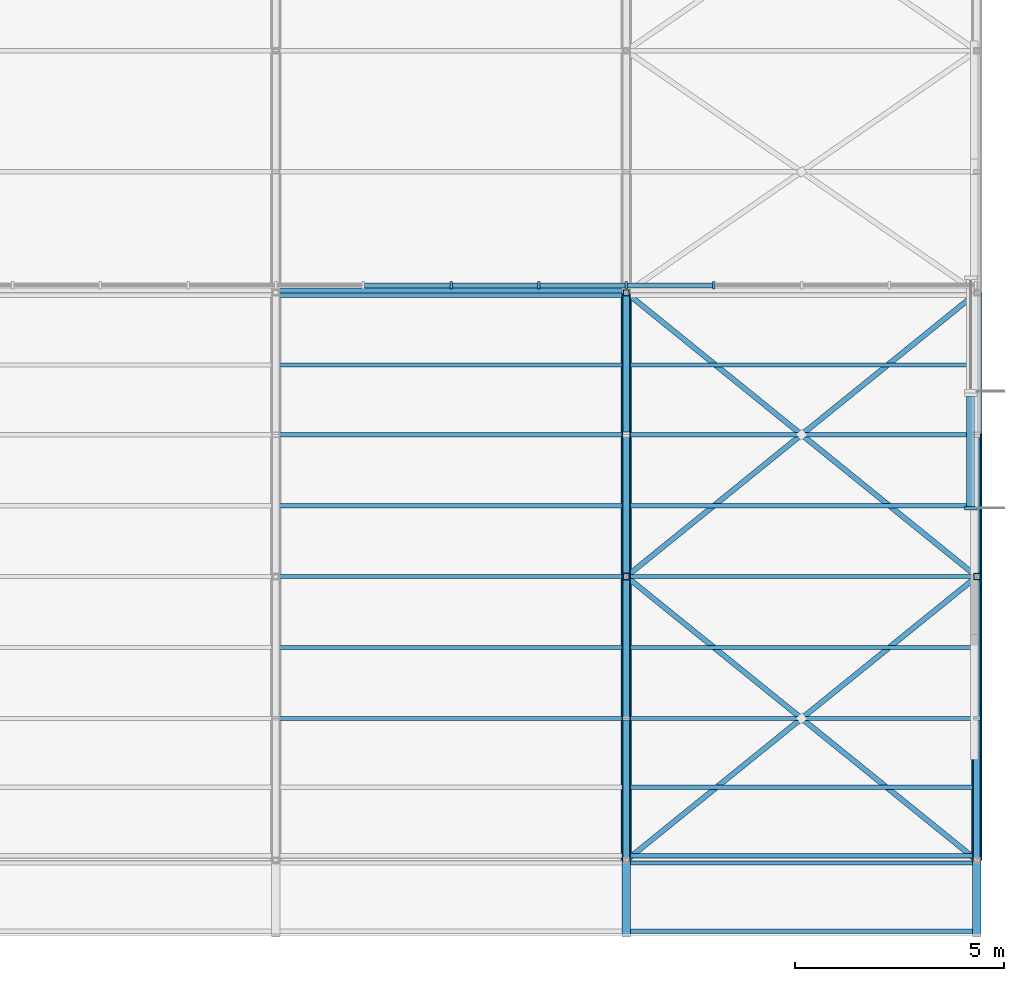
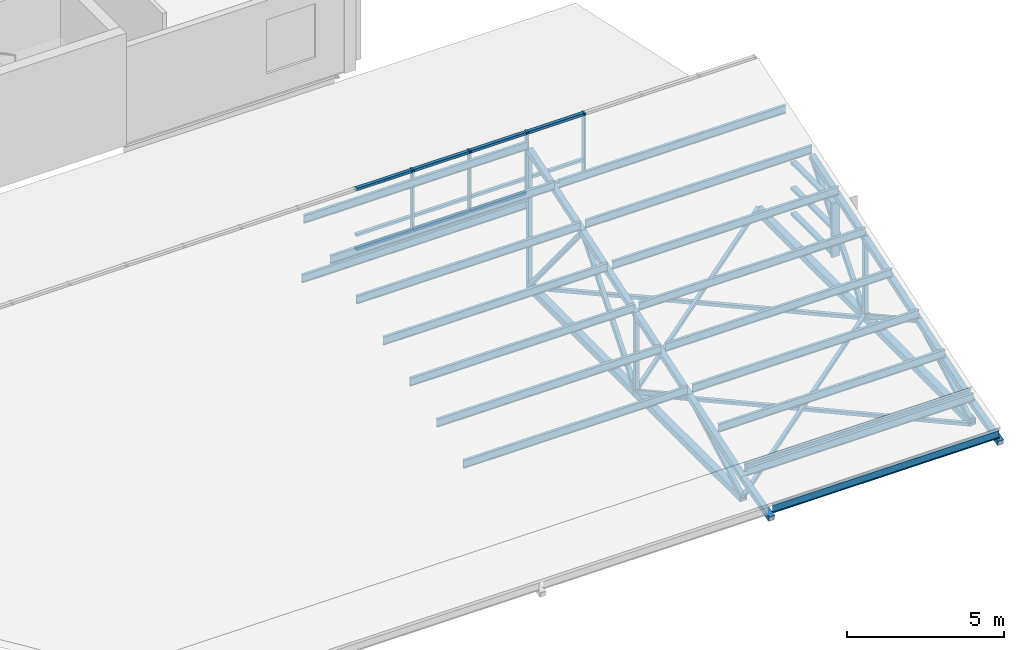
# One storey, part 22 of 89: 34 members, 31 beams, 2 elements without a shape of their own.
"""IFC4 building model written with IfcOpenShell, lengths in metres."""

from ifc_helpers import new_model, si_unit, direction, frame, origin, origin_2d, place, context, subcontext, project, spatial, rectangle, hollow_rectangle, i_section, extrude, material, material_profile, profile_set, type_object, element, aggregate, save


model = new_model("IFC4")

# Units and contexts
model_context = context("Model", 3, precision=1e-05, world=origin(), true_north=direction((0.0, 1.0)))
body_context = subcontext(model_context, "Body", "Model", "MODEL_VIEW")
ifc_project = project(units=[si_unit("LENGTHUNIT", "METRE"), si_unit("AREAUNIT", "SQUARE_METRE"), si_unit("VOLUMEUNIT", "CUBIC_METRE"), si_unit("PLANEANGLEUNIT", "RADIAN"), si_unit("MASSUNIT", "GRAM", prefix="KILO")], contexts=[model_context])

# Site, building, storey
site_placement = place(None, origin())
site = spatial("IfcSite", under=ifc_project, at=site_placement, CompositionType="ELEMENT")
building_placement = place(site_placement, origin())
building = spatial("IfcBuilding", under=site, at=building_placement, Name="Hlaing Beacon Police Headquarters", CompositionType="ELEMENT")
storey_placement = place(building_placement, frame((0.0, 0.0, 9.89990234375)))
storey = spatial("IfcBuildingStorey", under=building, at=storey_placement, Name="L02", CompositionType="ELEMENT", Elevation=9.89990234375)

# Curtain wall, members
ifc_material_1 = material(Name="Aluminium frame with solar control glazing", Category="aluminium")
curtain_wall_type_1 = type_object("IfcCurtainWallType", Name="Clerestory glazing 42.00 x 2.42", PredefinedType="NOTDEFINED", material=ifc_material_1)
curtain_wall_1_placement = place(storey_placement, origin())
curtain_wall_1 = element("IfcCurtainWall", 1, at=curtain_wall_1_placement, inside=storey, type_object=curtain_wall_type_1, Name="ENV-CLR-V3-38", PredefinedType="NOTDEFINED")
ifc_material_2 = material(Name="Aluminium", Category="aluminium")
ifc_material_profile_1 = material_profile(ifc_material_2, rectangle(XDim=0.179931640625, YDim=0.06005859375, at=origin_2d()), Name="Mullion 60x180")
ifc_profile_set_1 = profile_set([ifc_material_profile_1], Name="Aluminium")
member_type_1 = type_object("IfcMemberType", Name="Mullion 60x180", PredefinedType="MULLION", material=ifc_profile_set_1)
member_1_placement = place(storey_placement, frame((121.800048828125, 22.17822265625, 2.0810546875), z_axis=(0.0, 0.0, 1.0), x_axis=(0.0, 1.0, 0.0)))
member_1 = element("IfcMember", 2, at=member_1_placement, type_object=member_type_1, Name="CLR-V3-38 mullion 15", PredefinedType="MULLION", context=body_context, shape_type="SweptSolid", body=[
    extrude(rectangle(XDim=0.179931640625, YDim=0.06005859375, at=origin_2d()), origin(), (0.0, 0.0, 1.0), 2.4189453125),
])
member_2_placement = place(storey_placement, frame((123.89990234375, 22.17822265625, 2.0810546875), z_axis=(0.0, 0.0, 1.0), x_axis=(0.0, 1.0, 0.0)))
member_2 = element("IfcMember", 3, at=member_2_placement, type_object=member_type_1, Name="CLR-V3-38 mullion 16", PredefinedType="MULLION", context=body_context, shape_type="SweptSolid", body=[
    extrude(rectangle(XDim=0.179931640625, YDim=0.06005859375, at=origin_2d()), origin(), (0.0, 0.0, 1.0), 2.4189453125),
])
member_3_placement = place(storey_placement, frame((126.0, 22.17822265625, 2.0810546875), z_axis=(0.0, 0.0, 1.0), x_axis=(0.0, 1.0, 0.0)))
member_3 = element("IfcMember", 4, at=member_3_placement, type_object=member_type_1, Name="CLR-V3-38 mullion 17", PredefinedType="MULLION", context=body_context, shape_type="SweptSolid", body=[
    extrude(rectangle(XDim=0.179931640625, YDim=0.06005859375, at=origin_2d()), origin(), (0.0, 0.0, 1.0), 2.4189453125),
])
member_4_placement = place(storey_placement, frame((128.10009765625, 22.17822265625, 2.0810546875), z_axis=(0.0, 0.0, 1.0), x_axis=(0.0, 1.0, 0.0)))
member_4 = element("IfcMember", 5, at=member_4_placement, type_object=member_type_1, Name="CLR-V3-38 mullion 18", PredefinedType="MULLION", context=body_context, shape_type="SweptSolid", body=[
    extrude(rectangle(XDim=0.179931640625, YDim=0.06005859375, at=origin_2d()), origin(), (0.0, 0.0, 1.0), 2.4189453125),
])

# Curtain wall, member
ifc_material_3 = material(Name="Aluminium frame with solar control glazing", Category="aluminium")
curtain_wall_type_2 = type_object("IfcCurtainWallType", Name="Structural glazed gable wall 2.80 x 2.08", PredefinedType="NOTDEFINED", material=ifc_material_3)
curtain_wall_2_placement = place(storey_placement, origin())
curtain_wall_2 = element("IfcCurtainWall", 6, at=curtain_wall_2_placement, inside=storey, type_object=curtain_wall_type_2, Name="ENV-CW-L02-E001", PredefinedType="NOTDEFINED")
ifc_material_4 = material(Name="Aluminium", Category="aluminium")
ifc_material_profile_2 = material_profile(ifc_material_4, rectangle(XDim=0.300048828125, YDim=0.080078125, at=origin_2d()), Name="Mullion 80x300")
ifc_profile_set_2 = profile_set([ifc_material_profile_2], Name="Aluminium")
member_type_2 = type_object("IfcMemberType", Name="Mullion 80x300", PredefinedType="MULLION", material=ifc_profile_set_2)
member_5_placement = place(storey_placement, frame((134.25, 16.840087890625, 0.0), z_axis=(0.0, 0.0, 1.0), x_axis=(-1.0, 0.0, 0.0)))
member_5 = element("IfcMember", 7, at=member_5_placement, type_object=member_type_2, Name="CW-L02-E001 mullion 1", PredefinedType="MULLION", context=body_context, shape_type="SweptSolid", body=[
    extrude(rectangle(XDim=0.300048828125, YDim=0.080078125, at=origin_2d()), origin(), (0.0, 0.0, 1.0), 2.0791015625),
])

# Members
ifc_material_5 = material(Name="Steel ASTM A500 Grade C", Category="steel")
ifc_material_profile_3 = material_profile(ifc_material_5, hollow_rectangle(XDim=0.126953125, YDim=0.126953125, WallThickness=0.009521484375, at=origin_2d()), Name="HSS5x5x3/8")
ifc_profile_set_3 = profile_set([ifc_material_profile_3], Name="Steel ASTM A500 Grade C")
member_type_3 = type_object("IfcMemberType", Name="Roof plan brace HSS5x5x3/8", PredefinedType="BRACE", material=ifc_profile_set_3)
for number, where, z_axis, x_axis, name in (
    (8, (126.0, 8.39990234375, -1.29931640625), (0.777239083865, 0.629205377053, 0.0), (-0.629205377053, 0.777239083865, 0.0), "STR-RT-V3-WB09"),
    (9, (134.39990234375, 8.39990234375, -1.4462890625), (-0.777239083865, 0.629205377053, 0.0), (-0.629205377053, -0.777239083865, 0.0), "STR-RT-V3-WB10"),
    (10, (126.0, 15.199951171875, -1.29931640625), (0.777239083865, 0.629205377053, 0.0), (-0.629205377053, 0.777239083865, 0.0), "STR-RT-V3-WB11"),
    (11, (134.39990234375, 15.199951171875, -1.4462890625), (-0.777239083865, 0.629205377053, 0.0), (-0.629205377053, -0.777239083865, 0.0), "STR-RT-V3-WB12"),
):
    element("IfcMember", number, at=place(storey_placement, frame(where, z_axis=z_axis, x_axis=x_axis)), inside=storey, type_object=member_type_3, Name=name, PredefinedType="BRACE", context=body_context, shape_type="SweptSolid", body=[
        extrude(hollow_rectangle(XDim=0.126953125, YDim=0.126953125, WallThickness=0.009521484375, at=origin_2d()), origin(), (0.0, 0.0, 1.0), 10.807373046875),
    ])

# Beams
ifc_material_6 = material(Name="Steel ASTM A992 Grade 50", Category="steel")
ifc_material_profile_4 = material_profile(ifc_material_6, i_section(OverallWidth=0.102294921875, OverallDepth=0.3125, WebThickness=0.006591796875, FlangeThickness=0.0107421875, FilletRadius=0.007568359375, at=origin_2d()), Name="W12x22")
ifc_profile_set_4 = profile_set([ifc_material_profile_4], Name="Steel ASTM A992 Grade 50")
beam_type_1 = type_object("IfcBeamType", Name="Roof purlin W12x22", PredefinedType="BEAM", material=ifc_profile_set_4)
for number, where, z_axis, x_axis, name in (
    (12, (126.0849609375, 6.69970703125, -0.77880859375), (1.0, 0.0, 0.0), (0.0, 1.0, 0.0), "STR-RT-V3-PR-R1-01-5"),
    (13, (126.0849609375, 8.3388671875, -0.341552734375), (1.0, 0.0, 0.0), (0.0, 1.0, 0.0), "STR-RT-V3-PR-R1-02-5"),
    (14, (126.0849609375, 8.50830078125, -0.29541015625), (1.0, 0.0, 0.0), (0.0, 1.0, 0.0), "STR-RT-V3-PR-R2-01-5"),
    (15, (126.0849609375, 10.154296875, 0.2490234375), (1.0, 0.0, 0.0), (0.0, 1.0, 0.0), "STR-RT-V3-PR-R2-02-5"),
):
    element("IfcBeam", number, at=place(storey_placement, frame(where, z_axis=z_axis, x_axis=x_axis)), inside=storey, type_object=beam_type_1, Name=name, PredefinedType="BEAM", context=body_context, shape_type="SweptSolid", body=[
        extrude(i_section(OverallWidth=0.102294921875, OverallDepth=0.3125, WebThickness=0.006591796875, FlangeThickness=0.0107421875, FilletRadius=0.007568359375, at=origin_2d()), origin(), (0.0, 0.0, 1.0), 8.31494140625),
    ])
beam_1_placement = place(storey_placement, frame((117.68505859375, 11.800048828125, 0.793701171875), z_axis=(1.0, 0.0, 0.0), x_axis=(0.0, 1.0, 0.0)))
element("IfcBeam", 16, at=beam_1_placement, inside=storey, type_object=beam_type_1, Name="STR-RT-V3-PR-R2-03-4", PredefinedType="BEAM", context=body_context, shape_type="SweptSolid", body=[
    extrude(i_section(OverallWidth=0.102294921875, OverallDepth=0.3125, WebThickness=0.006591796875, FlangeThickness=0.0107421875, FilletRadius=0.007568359375, at=origin_2d()), origin(), (0.0, 0.0, 1.0), 8.22998046875),
])
beam_2_placement = place(storey_placement, frame((126.0849609375, 11.800048828125, 0.793701171875), z_axis=(1.0, 0.0, 0.0), x_axis=(0.0, 1.0, 0.0)))
element("IfcBeam", 17, at=beam_2_placement, inside=storey, type_object=beam_type_1, Name="STR-RT-V3-PR-R2-03-5", PredefinedType="BEAM", context=body_context, shape_type="SweptSolid", body=[
    extrude(i_section(OverallWidth=0.102294921875, OverallDepth=0.3125, WebThickness=0.006591796875, FlangeThickness=0.0107421875, FilletRadius=0.007568359375, at=origin_2d()), origin(), (0.0, 0.0, 1.0), 8.31494140625),
])
beam_3_placement = place(storey_placement, frame((117.68505859375, 13.5, 1.356201171875), z_axis=(1.0, 0.0, 0.0), x_axis=(0.0, 1.0, 0.0)))
element("IfcBeam", 18, at=beam_3_placement, inside=storey, type_object=beam_type_1, Name="STR-RT-V3-PR-R2-04-4", PredefinedType="BEAM", context=body_context, shape_type="SweptSolid", body=[
    extrude(i_section(OverallWidth=0.102294921875, OverallDepth=0.3125, WebThickness=0.006591796875, FlangeThickness=0.0107421875, FilletRadius=0.007568359375, at=origin_2d()), origin(), (0.0, 0.0, 1.0), 8.22998046875),
])
beam_4_placement = place(storey_placement, frame((126.0849609375, 13.5, 1.356201171875), z_axis=(1.0, 0.0, 0.0), x_axis=(0.0, 1.0, 0.0)))
element("IfcBeam", 19, at=beam_4_placement, inside=storey, type_object=beam_type_1, Name="STR-RT-V3-PR-R2-04-5", PredefinedType="BEAM", context=body_context, shape_type="SweptSolid", body=[
    extrude(i_section(OverallWidth=0.102294921875, OverallDepth=0.3125, WebThickness=0.006591796875, FlangeThickness=0.0107421875, FilletRadius=0.007568359375, at=origin_2d()), origin(), (0.0, 0.0, 1.0), 8.31494140625),
])
beam_5_placement = place(storey_placement, frame((117.68505859375, 15.199951171875, 1.918701171875), z_axis=(1.0, 0.0, 0.0), x_axis=(0.0, 1.0, 0.0)))
element("IfcBeam", 20, at=beam_5_placement, inside=storey, type_object=beam_type_1, Name="STR-RT-V3-PR-R2-05-4", PredefinedType="BEAM", context=body_context, shape_type="SweptSolid", body=[
    extrude(i_section(OverallWidth=0.102294921875, OverallDepth=0.3125, WebThickness=0.006591796875, FlangeThickness=0.0107421875, FilletRadius=0.007568359375, at=origin_2d()), origin(), (0.0, 0.0, 1.0), 8.22998046875),
])
beam_6_placement = place(storey_placement, frame((126.0849609375, 15.199951171875, 1.918701171875), z_axis=(1.0, 0.0, 0.0), x_axis=(0.0, 1.0, 0.0)))
element("IfcBeam", 21, at=beam_6_placement, inside=storey, type_object=beam_type_1, Name="STR-RT-V3-PR-R2-05-5", PredefinedType="BEAM", context=body_context, shape_type="SweptSolid", body=[
    extrude(i_section(OverallWidth=0.102294921875, OverallDepth=0.3125, WebThickness=0.006591796875, FlangeThickness=0.0107421875, FilletRadius=0.007568359375, at=origin_2d()), origin(), (0.0, 0.0, 1.0), 8.31494140625),
])
beam_7_placement = place(storey_placement, frame((117.68505859375, 16.89990234375, 2.481201171875), z_axis=(1.0, 0.0, 0.0), x_axis=(0.0, 1.0, 0.0)))
element("IfcBeam", 22, at=beam_7_placement, inside=storey, type_object=beam_type_1, Name="STR-RT-V3-PR-R2-06-4", PredefinedType="BEAM", context=body_context, shape_type="SweptSolid", body=[
    extrude(i_section(OverallWidth=0.102294921875, OverallDepth=0.3125, WebThickness=0.006591796875, FlangeThickness=0.0107421875, FilletRadius=0.007568359375, at=origin_2d()), origin(), (0.0, 0.0, 1.0), 8.22998046875),
])
beam_8_placement = place(storey_placement, frame((126.0849609375, 16.89990234375, 2.481201171875), z_axis=(1.0, 0.0, 0.0), x_axis=(0.0, 1.0, 0.0)))
element("IfcBeam", 23, at=beam_8_placement, inside=storey, type_object=beam_type_1, Name="STR-RT-V3-PR-R2-06-5", PredefinedType="BEAM", context=body_context, shape_type="SweptSolid", body=[
    extrude(i_section(OverallWidth=0.102294921875, OverallDepth=0.3125, WebThickness=0.006591796875, FlangeThickness=0.0107421875, FilletRadius=0.007568359375, at=origin_2d()), origin(), (0.0, 0.0, 1.0), 8.31494140625),
])
beam_9_placement = place(storey_placement, frame((117.68505859375, 18.60009765625, 3.043701171875), z_axis=(1.0, 0.0, 0.0), x_axis=(0.0, 1.0, 0.0)))
element("IfcBeam", 24, at=beam_9_placement, inside=storey, type_object=beam_type_1, Name="STR-RT-V3-PR-R2-07-4", PredefinedType="BEAM", context=body_context, shape_type="SweptSolid", body=[
    extrude(i_section(OverallWidth=0.102294921875, OverallDepth=0.3125, WebThickness=0.006591796875, FlangeThickness=0.0107421875, FilletRadius=0.007568359375, at=origin_2d()), origin(), (0.0, 0.0, 1.0), 8.22998046875),
])
beam_10_placement = place(storey_placement, frame((126.0849609375, 18.60009765625, 3.043701171875), z_axis=(1.0, 0.0, 0.0), x_axis=(0.0, 1.0, 0.0)))
element("IfcBeam", 25, at=beam_10_placement, inside=storey, type_object=beam_type_1, Name="STR-RT-V3-PR-R2-07-5", PredefinedType="BEAM", context=body_context, shape_type="SweptSolid", body=[
    extrude(i_section(OverallWidth=0.102294921875, OverallDepth=0.3125, WebThickness=0.006591796875, FlangeThickness=0.0107421875, FilletRadius=0.007568359375, at=origin_2d()), origin(), (0.0, 0.0, 1.0), 8.31494140625),
])
beam_11_placement = place(storey_placement, frame((117.68505859375, 20.269287109375, 3.595947265625), z_axis=(1.0, 0.0, 0.0), x_axis=(0.0, 1.0, 0.0)))
element("IfcBeam", 26, at=beam_11_placement, inside=storey, type_object=beam_type_1, Name="STR-RT-V3-PR-R2-08-4", PredefinedType="BEAM", context=body_context, shape_type="SweptSolid", body=[
    extrude(i_section(OverallWidth=0.102294921875, OverallDepth=0.3125, WebThickness=0.006591796875, FlangeThickness=0.0107421875, FilletRadius=0.007568359375, at=origin_2d()), origin(), (0.0, 0.0, 1.0), 8.22998046875),
])
beam_12_placement = place(storey_placement, frame((126.0849609375, 20.269287109375, 3.595947265625), z_axis=(1.0, 0.0, 0.0), x_axis=(0.0, 1.0, 0.0)))
element("IfcBeam", 27, at=beam_12_placement, inside=storey, type_object=beam_type_1, Name="STR-RT-V3-PR-R2-08-5", PredefinedType="BEAM", context=body_context, shape_type="SweptSolid", body=[
    extrude(i_section(OverallWidth=0.102294921875, OverallDepth=0.3125, WebThickness=0.006591796875, FlangeThickness=0.0107421875, FilletRadius=0.007568359375, at=origin_2d()), origin(), (0.0, 0.0, 1.0), 8.31494140625),
])
for number, where, z_axis, x_axis, name in (
    (28, (117.68505859375, 21.938720703125, 4.1484375), (1.0, 0.0, 0.0), (0.0, 1.0, 0.0), "STR-RT-V3-PR-R2-09-4"),
    (29, (117.68505859375, 22.061279296875, 1.765869140625), (1.0, 0.0, 0.0), (0.0, 1.0, 0.0), "STR-RT-V3-PR-R3-01-4"),
):
    element("IfcBeam", number, at=place(storey_placement, frame(where, z_axis=z_axis, x_axis=x_axis)), inside=storey, type_object=beam_type_1, Name=name, PredefinedType="BEAM", context=body_context, shape_type="SweptSolid", body=[
        extrude(i_section(OverallWidth=0.102294921875, OverallDepth=0.3125, WebThickness=0.006591796875, FlangeThickness=0.0107421875, FilletRadius=0.007568359375, at=origin_2d()), origin(), (0.0, 0.0, 1.0), 8.22998046875),
    ])

# Member
ifc_material_7 = material(Name="Aluminium", Category="aluminium")
ifc_material_profile_5 = material_profile(ifc_material_7, rectangle(XDim=0.1201171875, YDim=0.10009765625, at=origin_2d()), Name="Transom 120x100")
ifc_profile_set_5 = profile_set([ifc_material_profile_5], Name="Aluminium")
member_type_4 = type_object("IfcMemberType", Name="Transom 120x100", PredefinedType="USERDEFINED", material=ifc_profile_set_5)
member_6_placement = place(storey_placement, frame((119.72998046875, 22.17822265625, 2.131103515625), z_axis=(1.0, 0.0, 0.0), x_axis=(0.0, 1.0, 0.0)))
member_6 = element("IfcMember", 30, at=member_6_placement, type_object=member_type_4, Name="CLR-V3-38 transom 14.1", ObjectType="TRANSOM", PredefinedType="USERDEFINED", context=body_context, shape_type="SweptSolid", body=[
    extrude(rectangle(XDim=0.1201171875, YDim=0.10009765625, at=origin_2d()), origin(), (0.0, 0.0, 1.0), 2.0400390625),
])

member_7_placement = place(storey_placement, frame((119.72998046875, 22.17822265625, 2.68115234375), z_axis=(1.0, 0.0, 0.0), x_axis=(0.0, 1.0, 0.0)))
member_7 = element("IfcMember", 31, at=member_7_placement, type_object=member_type_4, Name="CLR-V3-38 transom 14.2", ObjectType="TRANSOM", PredefinedType="USERDEFINED", context=body_context, shape_type="SweptSolid", body=[
    extrude(rectangle(XDim=0.1201171875, YDim=0.10009765625, at=origin_2d()), origin(), (0.0, 0.0, 1.0), 2.0400390625),
])

member_8_placement = place(storey_placement, frame((119.72998046875, 22.17822265625, 4.4501953125), z_axis=(1.0, 0.0, 0.0), x_axis=(0.0, 1.0, 0.0)))
member_8 = element("IfcMember", 32, at=member_8_placement, type_object=member_type_4, Name="CLR-V3-38 transom 14.3", ObjectType="TRANSOM", PredefinedType="USERDEFINED", context=body_context, shape_type="SweptSolid", body=[
    extrude(rectangle(XDim=0.1201171875, YDim=0.10009765625, at=origin_2d()), origin(), (0.0, 0.0, 1.0), 2.0400390625),
])

member_9_placement = place(storey_placement, frame((121.830078125, 22.17822265625, 2.131103515625), z_axis=(1.0, 0.0, 0.0), x_axis=(0.0, 1.0, 0.0)))
member_9 = element("IfcMember", 33, at=member_9_placement, type_object=member_type_4, Name="CLR-V3-38 transom 15.1", ObjectType="TRANSOM", PredefinedType="USERDEFINED", context=body_context, shape_type="SweptSolid", body=[
    extrude(rectangle(XDim=0.1201171875, YDim=0.10009765625, at=origin_2d()), origin(), (0.0, 0.0, 1.0), 2.0400390625),
])

member_10_placement = place(storey_placement, frame((121.830078125, 22.17822265625, 2.68115234375), z_axis=(1.0, 0.0, 0.0), x_axis=(0.0, 1.0, 0.0)))
member_10 = element("IfcMember", 34, at=member_10_placement, type_object=member_type_4, Name="CLR-V3-38 transom 15.2", ObjectType="TRANSOM", PredefinedType="USERDEFINED", context=body_context, shape_type="SweptSolid", body=[
    extrude(rectangle(XDim=0.1201171875, YDim=0.10009765625, at=origin_2d()), origin(), (0.0, 0.0, 1.0), 2.0400390625),
])

member_11_placement = place(storey_placement, frame((121.830078125, 22.17822265625, 4.4501953125), z_axis=(1.0, 0.0, 0.0), x_axis=(0.0, 1.0, 0.0)))
member_11 = element("IfcMember", 35, at=member_11_placement, type_object=member_type_4, Name="CLR-V3-38 transom 15.3", ObjectType="TRANSOM", PredefinedType="USERDEFINED", context=body_context, shape_type="SweptSolid", body=[
    extrude(rectangle(XDim=0.1201171875, YDim=0.10009765625, at=origin_2d()), origin(), (0.0, 0.0, 1.0), 2.0400390625),
])

member_12_placement = place(storey_placement, frame((123.929931640625, 22.17822265625, 2.131103515625), z_axis=(1.0, 0.0, 0.0), x_axis=(0.0, 1.0, 0.0)))
member_12 = element("IfcMember", 36, at=member_12_placement, type_object=member_type_4, Name="CLR-V3-38 transom 16.1", ObjectType="TRANSOM", PredefinedType="USERDEFINED", context=body_context, shape_type="SweptSolid", body=[
    extrude(rectangle(XDim=0.1201171875, YDim=0.10009765625, at=origin_2d()), origin(), (0.0, 0.0, 1.0), 2.0400390625),
])

member_13_placement = place(storey_placement, frame((123.929931640625, 22.17822265625, 2.68115234375), z_axis=(1.0, 0.0, 0.0), x_axis=(0.0, 1.0, 0.0)))
member_13 = element("IfcMember", 37, at=member_13_placement, type_object=member_type_4, Name="CLR-V3-38 transom 16.2", ObjectType="TRANSOM", PredefinedType="USERDEFINED", context=body_context, shape_type="SweptSolid", body=[
    extrude(rectangle(XDim=0.1201171875, YDim=0.10009765625, at=origin_2d()), origin(), (0.0, 0.0, 1.0), 2.0400390625),
])

member_14_placement = place(storey_placement, frame((123.929931640625, 22.17822265625, 4.4501953125), z_axis=(1.0, 0.0, 0.0), x_axis=(0.0, 1.0, 0.0)))
member_14 = element("IfcMember", 38, at=member_14_placement, type_object=member_type_4, Name="CLR-V3-38 transom 16.3", ObjectType="TRANSOM", PredefinedType="USERDEFINED", context=body_context, shape_type="SweptSolid", body=[
    extrude(rectangle(XDim=0.1201171875, YDim=0.10009765625, at=origin_2d()), origin(), (0.0, 0.0, 1.0), 2.0400390625),
])

member_15_placement = place(storey_placement, frame((126.030029296875, 22.17822265625, 2.131103515625), z_axis=(1.0, 0.0, 0.0), x_axis=(0.0, 1.0, 0.0)))
member_15 = element("IfcMember", 39, at=member_15_placement, type_object=member_type_4, Name="CLR-V3-38 transom 17.1", ObjectType="TRANSOM", PredefinedType="USERDEFINED", context=body_context, shape_type="SweptSolid", body=[
    extrude(rectangle(XDim=0.1201171875, YDim=0.10009765625, at=origin_2d()), origin(), (0.0, 0.0, 1.0), 2.0400390625),
])

member_16_placement = place(storey_placement, frame((126.030029296875, 22.17822265625, 2.68115234375), z_axis=(1.0, 0.0, 0.0), x_axis=(0.0, 1.0, 0.0)))
member_16 = element("IfcMember", 40, at=member_16_placement, type_object=member_type_4, Name="CLR-V3-38 transom 17.2", ObjectType="TRANSOM", PredefinedType="USERDEFINED", context=body_context, shape_type="SweptSolid", body=[
    extrude(rectangle(XDim=0.1201171875, YDim=0.10009765625, at=origin_2d()), origin(), (0.0, 0.0, 1.0), 2.0400390625),
])

member_17_placement = place(storey_placement, frame((126.030029296875, 22.17822265625, 4.4501953125), z_axis=(1.0, 0.0, 0.0), x_axis=(0.0, 1.0, 0.0)))
member_17 = element("IfcMember", 41, at=member_17_placement, type_object=member_type_4, Name="CLR-V3-38 transom 17.3", ObjectType="TRANSOM", PredefinedType="USERDEFINED", context=body_context, shape_type="SweptSolid", body=[
    extrude(rectangle(XDim=0.1201171875, YDim=0.10009765625, at=origin_2d()), origin(), (0.0, 0.0, 1.0), 2.0400390625),
])

aggregate(curtain_wall_1, [member_1, member_2, member_3, member_4, member_6, member_7, member_8, member_9, member_10, member_11, member_12, member_13, member_14, member_15, member_16, member_17])

ifc_material_8 = material(Name="Aluminium", Category="aluminium")
ifc_material_profile_6 = material_profile(ifc_material_8, rectangle(XDim=0.199951171875, YDim=0.10009765625, at=origin_2d()), Name="Transom 200x100")
ifc_profile_set_6 = profile_set([ifc_material_profile_6], Name="Aluminium")
member_type_5 = type_object("IfcMemberType", Name="Transom 200x100", PredefinedType="USERDEFINED", material=ifc_profile_set_6)
member_18_placement = place(storey_placement, frame((134.25, 16.8798828125, 0.050048828125), z_axis=(0.0, 1.0, 0.0), x_axis=(-1.0, 0.0, 0.0)))
member_18 = element("IfcMember", 42, at=member_18_placement, type_object=member_type_5, Name="CW-L02-E001 transom 1.1", ObjectType="TRANSOM", PredefinedType="USERDEFINED", context=body_context, shape_type="SweptSolid", body=[
    extrude(rectangle(XDim=0.199951171875, YDim=0.10009765625, at=origin_2d()), origin(), (0.0, 0.0, 1.0), 2.64013671875),
])

member_19_placement = place(storey_placement, frame((134.25, 16.8798828125, 1.0390625), z_axis=(0.0, 1.0, 0.0), x_axis=(-1.0, 0.0, 0.0)))
member_19 = element("IfcMember", 43, at=member_19_placement, type_object=member_type_5, Name="CW-L02-E001 transom 1.2", ObjectType="TRANSOM", PredefinedType="USERDEFINED", context=body_context, shape_type="SweptSolid", body=[
    extrude(rectangle(XDim=0.199951171875, YDim=0.10009765625, at=origin_2d()), origin(), (0.0, 0.0, 1.0), 2.64013671875),
])

member_20_placement = place(storey_placement, frame((134.25, 16.8798828125, 2.029052734375), z_axis=(0.0, 1.0, 0.0), x_axis=(-1.0, 0.0, 0.0)))
member_20 = element("IfcMember", 44, at=member_20_placement, type_object=member_type_5, Name="CW-L02-E001 transom 1.3", ObjectType="TRANSOM", PredefinedType="USERDEFINED", context=body_context, shape_type="SweptSolid", body=[
    extrude(rectangle(XDim=0.199951171875, YDim=0.10009765625, at=origin_2d()), origin(), (0.0, 0.0, 1.0), 2.64013671875),
])

aggregate(curtain_wall_2, [member_5, member_18, member_19, member_20])

# Beams
ifc_material_9 = material(Name="Steel ASTM A500 Grade C", Category="steel")
ifc_material_profile_7 = material_profile(ifc_material_9, hollow_rectangle(XDim=0.25390625, YDim=0.25390625, WallThickness=0.0126953125, at=origin_2d()), Name="HSS10x10x1/2")
ifc_profile_set_7 = profile_set([ifc_material_profile_7], Name="Steel ASTM A500 Grade C")
beam_type_2 = type_object("IfcBeamType", Name="Truss bottom chord HSS10x10x1/2", PredefinedType="BEAM", material=ifc_profile_set_7)
for number, where, z_axis, x_axis, name in (
    (45, (126.0, 8.39990234375, -1.372802734375), (0.0, 1.0, 0.0), (-1.0, 0.0, 0.0), "STR-RT-V3-T5-BC01"),
    (46, (126.0, 15.199951171875, -1.372802734375), (0.0, 1.0, 0.0), (-1.0, 0.0, 0.0), "STR-RT-V3-T5-BC02"),
    (47, (134.39990234375, 8.39990234375, -1.372802734375), (0.0, 1.0, 0.0), (-1.0, 0.0, 0.0), "STR-RT-V3-T6-BC01"),
    (48, (134.39990234375, 15.199951171875, -1.372802734375), (0.0, 1.0, 0.0), (-1.0, 0.0, 0.0), "STR-RT-V3-T6-BC02"),
):
    element("IfcBeam", number, at=place(storey_placement, frame(where, z_axis=z_axis, x_axis=x_axis)), inside=storey, type_object=beam_type_2, Name=name, PredefinedType="BEAM", context=body_context, shape_type="SweptSolid", body=[
        extrude(hollow_rectangle(XDim=0.25390625, YDim=0.25390625, WallThickness=0.0126953125, at=origin_2d()), origin(), (0.0, 0.0, 1.0), 6.800048828125),
    ])

# Members
ifc_material_10 = material(Name="Steel ASTM A500 Grade C", Category="steel")
ifc_material_profile_8 = material_profile(ifc_material_10, hollow_rectangle(XDim=0.15234375, YDim=0.15234375, WallThickness=0.0126953125, at=origin_2d()), Name="HSS6x6x1/2")
ifc_profile_set_8 = profile_set([ifc_material_profile_8], Name="Steel ASTM A500 Grade C")
member_type_6 = type_object("IfcMemberType", Name="Truss post HSS6x6x1/2", PredefinedType="POST", material=ifc_profile_set_8)
member_21_placement = place(storey_placement, frame((126.0, 15.199951171875, -1.372802734375), z_axis=(0.0, 0.0, 1.0), x_axis=(1.0, 0.0, 0.0)))
element("IfcMember", 49, at=member_21_placement, inside=storey, type_object=member_type_6, Name="STR-RT-V3-T5-PS02", PredefinedType="POST", context=body_context, shape_type="SweptSolid", body=[
    extrude(hollow_rectangle(XDim=0.15234375, YDim=0.15234375, WallThickness=0.0126953125, at=origin_2d()), origin(), (0.0, 0.0, 1.0), 3.01171875),
])
member_22_placement = place(storey_placement, frame((126.0, 22.0, -1.372802734375), z_axis=(0.0, 0.0, 1.0), x_axis=(1.0, 0.0, 0.0)))
element("IfcMember", 50, at=member_22_placement, inside=storey, type_object=member_type_6, Name="STR-RT-V3-T5-PS03", PredefinedType="POST", context=body_context, shape_type="SweptSolid", body=[
    extrude(hollow_rectangle(XDim=0.15234375, YDim=0.15234375, WallThickness=0.0126953125, at=origin_2d()), origin(), (0.0, 0.0, 1.0), 5.26171875),
])
member_23_placement = place(storey_placement, frame((134.39990234375, 15.199951171875, -1.372802734375), z_axis=(0.0, 0.0, 1.0), x_axis=(1.0, 0.0, 0.0)))
element("IfcMember", 51, at=member_23_placement, inside=storey, type_object=member_type_6, Name="STR-RT-V3-T6-PS02", PredefinedType="POST", context=body_context, shape_type="SweptSolid", body=[
    extrude(hollow_rectangle(XDim=0.15234375, YDim=0.15234375, WallThickness=0.0126953125, at=origin_2d()), origin(), (0.0, 0.0, 1.0), 3.01171875),
])

# Beams
ifc_material_11 = material(Name="Steel ASTM A500 Grade C", Category="steel")
ifc_material_profile_9 = material_profile(ifc_material_11, hollow_rectangle(XDim=0.203125, YDim=0.203125, WallThickness=0.015869140625, at=origin_2d()), Name="HSS8x8x5/8")
ifc_profile_set_9 = profile_set([ifc_material_profile_9], Name="Steel ASTM A500 Grade C")
beam_type_3 = type_object("IfcBeamType", Name="Truss top chord HSS8x8x5/8", PredefinedType="BEAM", material=ifc_profile_set_9)
beam_13_placement = place(storey_placement, frame((126.0, 6.60009765625, -1.080078125), z_axis=(0.0, 0.966977619685, 0.254861301553), x_axis=(-1.0, 0.0, 0.0)))
element("IfcBeam", 52, at=beam_13_placement, inside=storey, type_object=beam_type_3, Name="STR-RT-V3-T5-TC01", PredefinedType="BEAM", context=body_context, shape_type="SweptSolid", body=[
    extrude(hollow_rectangle(XDim=0.203125, YDim=0.203125, WallThickness=0.015869140625, at=origin_2d()), origin(), (0.0, 0.0, 1.0), 1.861328125),
])
beam_14_placement = place(storey_placement, frame((126.0, 8.39990234375, -0.605712890625), z_axis=(0.0, 0.949829586508, 0.312767895722), x_axis=(-1.0, 0.0, 0.0)))
element("IfcBeam", 53, at=beam_14_placement, inside=storey, type_object=beam_type_3, Name="STR-RT-V3-T5-TC02", PredefinedType="BEAM", context=body_context, shape_type="SweptSolid", body=[
    extrude(hollow_rectangle(XDim=0.203125, YDim=0.203125, WallThickness=0.015869140625, at=origin_2d()), origin(), (0.0, 0.0, 1.0), 3.579833984375),
])
beam_15_placement = place(storey_placement, frame((126.0, 11.800048828125, 0.513916015625), z_axis=(0.0, 0.949376368451, 0.314140909509), x_axis=(-1.0, 0.0, 0.0)))
element("IfcBeam", 54, at=beam_15_placement, inside=storey, type_object=beam_type_3, Name="STR-RT-V3-T5-TC03", PredefinedType="BEAM", context=body_context, shape_type="SweptSolid", body=[
    extrude(hollow_rectangle(XDim=0.203125, YDim=0.203125, WallThickness=0.015869140625, at=origin_2d()), origin(), (0.0, 0.0, 1.0), 3.581298828125),
])
beam_16_placement = place(storey_placement, frame((126.0, 15.199951171875, 1.638916015625), z_axis=(0.0, 0.949383095411, 0.314120578994), x_axis=(-1.0, 0.0, 0.0)))
element("IfcBeam", 55, at=beam_16_placement, inside=storey, type_object=beam_type_3, Name="STR-RT-V3-T5-TC04", PredefinedType="BEAM", context=body_context, shape_type="SweptSolid", body=[
    extrude(hollow_rectangle(XDim=0.203125, YDim=0.203125, WallThickness=0.015869140625, at=origin_2d()), origin(), (0.0, 0.0, 1.0), 3.58154296875),
])
beam_17_placement = place(storey_placement, frame((126.0, 18.60009765625, 2.763916015625), z_axis=(0.0, 0.949376368451, 0.314140909509), x_axis=(-1.0, 0.0, 0.0)))
element("IfcBeam", 56, at=beam_17_placement, inside=storey, type_object=beam_type_3, Name="STR-RT-V3-T5-TC05", PredefinedType="BEAM", context=body_context, shape_type="SweptSolid", body=[
    extrude(hollow_rectangle(XDim=0.203125, YDim=0.203125, WallThickness=0.015869140625, at=origin_2d()), origin(), (0.0, 0.0, 1.0), 3.581298828125),
])
beam_18_placement = place(storey_placement, frame((134.39990234375, 6.60009765625, -1.080078125), z_axis=(0.0, 0.966977619685, 0.254861301553), x_axis=(-1.0, 0.0, 0.0)))
element("IfcBeam", 57, at=beam_18_placement, inside=storey, type_object=beam_type_3, Name="STR-RT-V3-T6-TC01", PredefinedType="BEAM", context=body_context, shape_type="SweptSolid", body=[
    extrude(hollow_rectangle(XDim=0.203125, YDim=0.203125, WallThickness=0.015869140625, at=origin_2d()), origin(), (0.0, 0.0, 1.0), 1.861328125),
])
beam_19_placement = place(storey_placement, frame((134.39990234375, 8.39990234375, -0.605712890625), z_axis=(0.0, 0.949829586508, 0.312767895722), x_axis=(-1.0, 0.0, 0.0)))
element("IfcBeam", 58, at=beam_19_placement, inside=storey, type_object=beam_type_3, Name="STR-RT-V3-T6-TC02", PredefinedType="BEAM", context=body_context, shape_type="SweptSolid", body=[
    extrude(hollow_rectangle(XDim=0.203125, YDim=0.203125, WallThickness=0.015869140625, at=origin_2d()), origin(), (0.0, 0.0, 1.0), 3.579833984375),
])
beam_20_placement = place(storey_placement, frame((134.39990234375, 11.800048828125, 0.513916015625), z_axis=(0.0, 0.949376368451, 0.314140909509), x_axis=(-1.0, 0.0, 0.0)))
element("IfcBeam", 59, at=beam_20_placement, inside=storey, type_object=beam_type_3, Name="STR-RT-V3-T6-TC03", PredefinedType="BEAM", context=body_context, shape_type="SweptSolid", body=[
    extrude(hollow_rectangle(XDim=0.203125, YDim=0.203125, WallThickness=0.015869140625, at=origin_2d()), origin(), (0.0, 0.0, 1.0), 3.581298828125),
])
beam_21_placement = place(storey_placement, frame((134.39990234375, 15.199951171875, 1.638916015625), z_axis=(0.0, 0.949383095411, 0.314120578994), x_axis=(-1.0, 0.0, 0.0)))
element("IfcBeam", 60, at=beam_21_placement, inside=storey, type_object=beam_type_3, Name="STR-RT-V3-T6-TC04", PredefinedType="BEAM", context=body_context, shape_type="SweptSolid", body=[
    extrude(hollow_rectangle(XDim=0.203125, YDim=0.203125, WallThickness=0.015869140625, at=origin_2d()), origin(), (0.0, 0.0, 1.0), 3.58154296875),
])

# Members
ifc_material_12 = material(Name="Steel ASTM A500 Grade C", Category="steel")
ifc_material_profile_10 = material_profile(ifc_material_12, hollow_rectangle(XDim=0.15234375, YDim=0.15234375, WallThickness=0.009521484375, at=origin_2d()), Name="HSS6x6x3/8")
ifc_profile_set_10 = profile_set([ifc_material_profile_10], Name="Steel ASTM A500 Grade C")
member_type_7 = type_object("IfcMemberType", Name="Truss web HSS6x6x3/8", PredefinedType="BRACE", material=ifc_profile_set_10)
for number, where, z_axis, x_axis, name in (
    (61, (126.0, 8.39990234375, -1.372802734375), (0.0, 0.874402972299, 0.485200414298), (-1.0, 0.0, 0.0), "STR-RT-V3-T5-DG01"),
    (62, (126.0, 11.800048828125, 0.513916015625), (0.0, 0.874388190335, -0.485227052629), (-1.0, 0.0, 0.0), "STR-RT-V3-T5-DG02"),
):
    element("IfcMember", number, at=place(storey_placement, frame(where, z_axis=z_axis, x_axis=x_axis)), inside=storey, type_object=member_type_7, Name=name, PredefinedType="BRACE", context=body_context, shape_type="SweptSolid", body=[
        extrude(hollow_rectangle(XDim=0.15234375, YDim=0.15234375, WallThickness=0.009521484375, at=origin_2d()), origin(), (0.0, 0.0, 1.0), 3.888427734375),
    ])
member_24_placement = place(storey_placement, frame((126.0, 15.199951171875, -1.372802734375), z_axis=(0.0, 0.634976630923, 0.772531344465), x_axis=(-1.0, 0.0, 0.0)))
element("IfcMember", 63, at=member_24_placement, inside=storey, type_object=member_type_7, Name="STR-RT-V3-T5-DG03", PredefinedType="BRACE", context=body_context, shape_type="SweptSolid", body=[
    extrude(hollow_rectangle(XDim=0.15234375, YDim=0.15234375, WallThickness=0.009521484375, at=origin_2d()), origin(), (0.0, 0.0, 1.0), 5.354736328125),
])
member_25_placement = place(storey_placement, frame((126.0, 18.60009765625, 2.763916015625), z_axis=(0.0, 0.634949419501, -0.772553709897), x_axis=(-1.0, 0.0, 0.0)))
element("IfcMember", 64, at=member_25_placement, inside=storey, type_object=member_type_7, Name="STR-RT-V3-T5-DG04", PredefinedType="BRACE", context=body_context, shape_type="SweptSolid", body=[
    extrude(hollow_rectangle(XDim=0.15234375, YDim=0.15234375, WallThickness=0.009521484375, at=origin_2d()), origin(), (0.0, 0.0, 1.0), 5.3544921875),
])
for number, where, z_axis, x_axis, name in (
    (65, (134.39990234375, 8.39990234375, -1.372802734375), (0.0, 0.874402972299, 0.485200414298), (-1.0, 0.0, 0.0), "STR-RT-V3-T6-DG01"),
    (66, (134.39990234375, 11.800048828125, 0.513916015625), (0.0, 0.874388190335, -0.485227052629), (-1.0, 0.0, 0.0), "STR-RT-V3-T6-DG02"),
):
    element("IfcMember", number, at=place(storey_placement, frame(where, z_axis=z_axis, x_axis=x_axis)), inside=storey, type_object=member_type_7, Name=name, PredefinedType="BRACE", context=body_context, shape_type="SweptSolid", body=[
        extrude(hollow_rectangle(XDim=0.15234375, YDim=0.15234375, WallThickness=0.009521484375, at=origin_2d()), origin(), (0.0, 0.0, 1.0), 3.888427734375),
    ])
member_26_placement = place(storey_placement, frame((134.39990234375, 15.199951171875, -1.372802734375), z_axis=(0.0, 0.634976630923, 0.772531344465), x_axis=(-1.0, 0.0, 0.0)))
element("IfcMember", 67, at=member_26_placement, inside=storey, type_object=member_type_7, Name="STR-RT-V3-T6-DG03", PredefinedType="BRACE", context=body_context, shape_type="SweptSolid", body=[
    extrude(hollow_rectangle(XDim=0.15234375, YDim=0.15234375, WallThickness=0.009521484375, at=origin_2d()), origin(), (0.0, 0.0, 1.0), 5.354736328125),
])

save(model, "model.ifc")
